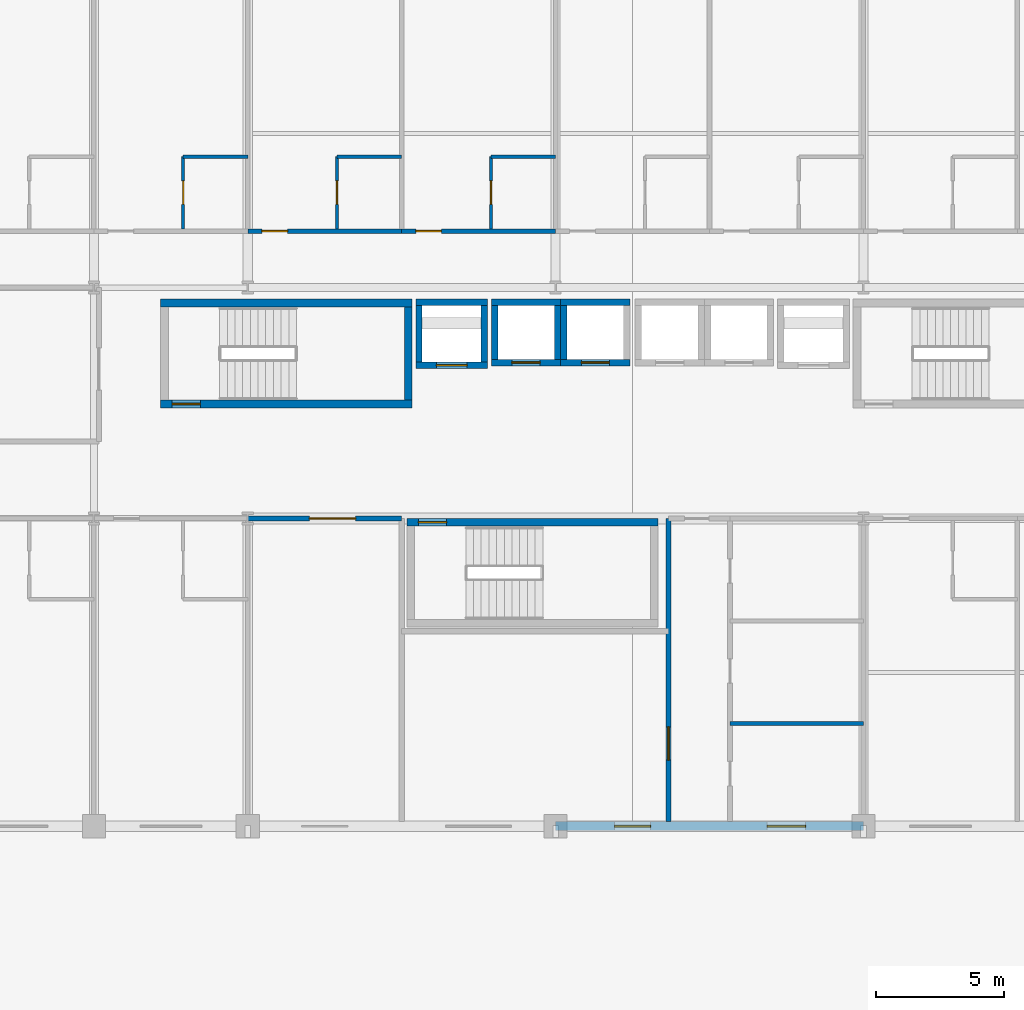
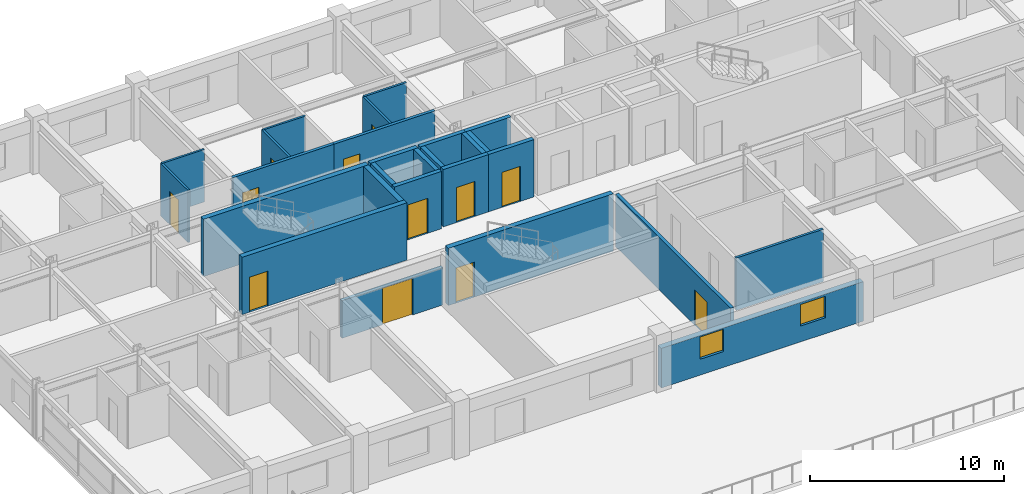
# One storey, part 17 of 24: 27 walls, 12 doors, 2 windows, 14 openings.
"""IFC4 building model written with IfcOpenShell, lengths in metres."""

from ifc_helpers import new_model, si_unit, direction, frame, frame_2d, origin, place, context, subcontext, project, spatial, rectangle, extrude, material, layer, layer_set, type_object, element, fill, save


model = new_model("IFC4")

# Units and contexts
model_context = context("Model", 3, precision=1e-05, world=origin(), true_north=direction((0.0, 1.0)))
body_context = subcontext(model_context, "Body", "Model", "MODEL_VIEW")
ifc_project = project(units=[si_unit("LENGTHUNIT", "METRE"), si_unit("AREAUNIT", "SQUARE_METRE"), si_unit("VOLUMEUNIT", "CUBIC_METRE"), si_unit("PLANEANGLEUNIT", "RADIAN"), si_unit("MASSUNIT", "GRAM", prefix="KILO")], contexts=[model_context])

# Site, building, storey
site_placement = place(None, origin())
site = spatial("IfcSite", under=ifc_project, at=site_placement, CompositionType="ELEMENT")
building_placement = place(site_placement, origin())
building = spatial("IfcBuilding", under=site, at=building_placement, Name="Kaldorvane Square Convention Centre", CompositionType="ELEMENT")
storey_placement = place(building_placement, frame((0.0, 0.0, 27.600006103515625)))
storey = spatial("IfcBuildingStorey", under=building, at=storey_placement, Name="L05", CompositionType="ELEMENT", Elevation=27.600006103515625)

# Wall, opening, door
ifc_material_1 = material(Name="Fire-Rated Gypsum Board on Acoustic Steel Studs", Category="steel")
ifc_layer_1 = layer(ifc_material_1, 0.125)
ifc_layer_set_1 = layer_set([ifc_layer_1], Name="Fire-Rated Gypsum Board on Acoustic Steel Studs")
wall_type_1 = type_object("IfcWallType", Name="WL-BATH-125", PredefinedType="PARTITIONING", material=ifc_layer_set_1)
wall_1_placement = place(storey_placement, frame((39.47999572753906, 107.28999328613281, 0.0), z_axis=(0.0, 0.0, 1.0), x_axis=(0.0, 1.0, 0.0)))
wall_1 = element("IfcWall", 1, at=wall_1_placement, inside=storey, type_object=wall_type_1, Name="En-Suite 503 West Wall", PredefinedType="PARTITIONING", context=body_context, shape_type="SweptSolid", body=[
    extrude(rectangle(XDim=2.8100128173828125, YDim=0.125, at=frame_2d((1.404998779296875, 0.0))), origin(), (0.0, 0.0, 1.0), 3.2899932861328125),
])
opening_1_placement = place(wall_1_placement, frame((0.9499969482421875, 0.0, 0.0)))
opening_1 = element("IfcOpeningElement", 2, at=opening_1_placement, cuts=wall_1, Name="Opening ID-12", PredefinedType="OPENING", context=body_context, shape_type="SweptSolid", body=[
    extrude(rectangle(XDim=0.9199981689453125, YDim=2.100006103515625, at=frame_2d((0.459991455078125, 1.0500030517578125))), frame((0.0, 0.0774993896484375, 0.0), z_axis=(0.0, -1.0, 0.0), x_axis=(1.0, 0.0, 0.0)), (0.0, 0.0, 1.0), 0.154998779296875),
])
ifc_material_2 = material(Name="Architectural Solid-Core White Oak")
door_type_1 = type_object("IfcDoorType", Name="DR-BATH-0920X2100", OperationType="SINGLE_SWING_RIGHT", PredefinedType="DOOR", material=ifc_material_2)
door_1_placement = place(opening_1_placement, origin())
door_1 = element("IfcDoor", 3, at=door_1_placement, inside=storey, type_object=door_type_1, Name="En-Suite Bathroom 503 Door", OperationType="SINGLE_SWING_RIGHT", OverallHeight=2.100006103515625, OverallWidth=0.9199981689453125, PredefinedType="DOOR", context=body_context, shape_type="SweptSolid", body=[
    extrude(rectangle(XDim=0.9199981689453125, YDim=2.100006103515625, at=frame_2d((0.459991455078125, 1.0500030517578125))), frame((0.0, 0.024993896484375, 0.0), z_axis=(0.0, -1.0, 0.0), x_axis=(1.0, 0.0, 0.0)), (0.0, 0.0, 1.0), 0.0500030517578125),
])
fill(opening_1, door_1)

# Wall
wall_2_placement = place(storey_placement, frame((39.47999572753906, 110.10000610351562, 0.0), z_axis=(0.0, 0.0, 1.0), x_axis=(1.0, 0.0, 0.0)))
element("IfcWall", 4, at=wall_2_placement, inside=storey, type_object=wall_type_1, Name="En-Suite 503 North Wall", PredefinedType="PARTITIONING", context=body_context, shape_type="SweptSolid", body=[
    extrude(rectangle(XDim=2.5200042724609375, YDim=0.125, at=frame_2d((1.260009765625, 0.0))), origin(), (0.0, 0.0, 1.0), 3.2899932861328125),
])

# Wall, opening, door
wall_3_placement = place(storey_placement, frame((45.47999572753906, 107.28999328613281, 0.0), z_axis=(0.0, 0.0, 1.0), x_axis=(0.0, 1.0, 0.0)))
wall_3 = element("IfcWall", 5, at=wall_3_placement, inside=storey, type_object=wall_type_1, Name="En-Suite 504 West Wall", PredefinedType="PARTITIONING", context=body_context, shape_type="SweptSolid", body=[
    extrude(rectangle(XDim=2.8100128173828125, YDim=0.125, at=frame_2d((1.404998779296875, 0.0))), origin(), (0.0, 0.0, 1.0), 3.2899932861328125),
])
opening_2_placement = place(wall_3_placement, frame((0.9499969482421875, 0.0, 0.0)))
opening_2 = element("IfcOpeningElement", 6, at=opening_2_placement, cuts=wall_3, Name="Opening ID-12", PredefinedType="OPENING", context=body_context, shape_type="SweptSolid", body=[
    extrude(rectangle(XDim=0.9199981689453125, YDim=2.100006103515625, at=frame_2d((0.459991455078125, 1.0500030517578125))), frame((0.0, 0.0774993896484375, 0.0), z_axis=(0.0, -1.0, 0.0), x_axis=(1.0, 0.0, 0.0)), (0.0, 0.0, 1.0), 0.154998779296875),
])
door_2_placement = place(opening_2_placement, origin())
door_2 = element("IfcDoor", 7, at=door_2_placement, inside=storey, type_object=door_type_1, Name="En-Suite Bathroom 504 Door", OperationType="SINGLE_SWING_RIGHT", OverallHeight=2.100006103515625, OverallWidth=0.9199981689453125, PredefinedType="DOOR", context=body_context, shape_type="SweptSolid", body=[
    extrude(rectangle(XDim=0.9199981689453125, YDim=2.100006103515625, at=frame_2d((0.459991455078125, 1.0500030517578125))), frame((0.0, 0.024993896484375, 0.0), z_axis=(0.0, -1.0, 0.0), x_axis=(1.0, 0.0, 0.0)), (0.0, 0.0, 1.0), 0.0500030517578125),
])
fill(opening_2, door_2)

# Wall
wall_4_placement = place(storey_placement, frame((45.47999572753906, 110.10000610351562, 0.0), z_axis=(0.0, 0.0, 1.0), x_axis=(1.0, 0.0, 0.0)))
element("IfcWall", 8, at=wall_4_placement, inside=storey, type_object=wall_type_1, Name="En-Suite 504 North Wall", PredefinedType="PARTITIONING", context=body_context, shape_type="SweptSolid", body=[
    extrude(rectangle(XDim=2.5200042724609375, YDim=0.125, at=frame_2d((1.260009765625, 0.0))), origin(), (0.0, 0.0, 1.0), 3.2899932861328125),
])

# Wall, opening, door
wall_5_placement = place(storey_placement, frame((51.47999572753906, 107.28999328613281, 0.0), z_axis=(0.0, 0.0, 1.0), x_axis=(0.0, 1.0, 0.0)))
wall_5 = element("IfcWall", 9, at=wall_5_placement, inside=storey, type_object=wall_type_1, Name="En-Suite 505 West Wall", PredefinedType="PARTITIONING", context=body_context, shape_type="SweptSolid", body=[
    extrude(rectangle(XDim=2.8100128173828125, YDim=0.125, at=frame_2d((1.404998779296875, 0.0))), origin(), (0.0, 0.0, 1.0), 3.2899932861328125),
])
opening_3_placement = place(wall_5_placement, frame((0.9499969482421875, 0.0, 0.0)))
opening_3 = element("IfcOpeningElement", 10, at=opening_3_placement, cuts=wall_5, Name="Opening ID-12", PredefinedType="OPENING", context=body_context, shape_type="SweptSolid", body=[
    extrude(rectangle(XDim=0.9199981689453125, YDim=2.100006103515625, at=frame_2d((0.459991455078125, 1.0500030517578125))), frame((0.0, 0.0774993896484375, 0.0), z_axis=(0.0, -1.0, 0.0), x_axis=(1.0, 0.0, 0.0)), (0.0, 0.0, 1.0), 0.154998779296875),
])
door_3_placement = place(opening_3_placement, origin())
door_3 = element("IfcDoor", 11, at=door_3_placement, inside=storey, type_object=door_type_1, Name="En-Suite Bathroom 505 Door", OperationType="SINGLE_SWING_RIGHT", OverallHeight=2.100006103515625, OverallWidth=0.9199981689453125, PredefinedType="DOOR", context=body_context, shape_type="SweptSolid", body=[
    extrude(rectangle(XDim=0.9199981689453125, YDim=2.100006103515625, at=frame_2d((0.459991455078125, 1.0500030517578125))), frame((0.0, 0.024993896484375, 0.0), z_axis=(0.0, -1.0, 0.0), x_axis=(1.0, 0.0, 0.0)), (0.0, 0.0, 1.0), 0.0500030517578125),
])
fill(opening_3, door_3)

# Wall
wall_6_placement = place(storey_placement, frame((51.47999572753906, 110.10000610351562, 0.0), z_axis=(0.0, 0.0, 1.0), x_axis=(1.0, 0.0, 0.0)))
element("IfcWall", 12, at=wall_6_placement, inside=storey, type_object=wall_type_1, Name="En-Suite 505 North Wall", PredefinedType="PARTITIONING", context=body_context, shape_type="SweptSolid", body=[
    extrude(rectangle(XDim=2.5200042724609375, YDim=0.125, at=frame_2d((1.260009765625, 0.0))), origin(), (0.0, 0.0, 1.0), 3.2899932861328125),
])

# Wall, opening, door
ifc_layer_2 = layer(ifc_material_1, 0.1999969482421875)
ifc_layer_set_2 = layer_set([ifc_layer_2], Name="Fire-Rated Gypsum Board on Acoustic Steel Studs")
wall_type_2 = type_object("IfcWallType", Name="WL-CORR-200", PredefinedType="PARTITIONING", material=ifc_layer_set_2)
wall_7_placement = place(storey_placement, frame((58.399993896484375, 84.17500305175781, 0.0), z_axis=(0.0, 0.0, 1.0), x_axis=(0.0, 1.0, 0.0)))
wall_7 = element("IfcWall", 13, at=wall_7_placement, inside=storey, type_object=wall_type_2, Name="Restroom Vestibule West Wall (L05)", PredefinedType="PARTITIONING", context=body_context, shape_type="SweptSolid", body=[
    extrude(rectangle(XDim=11.824996948242188, YDim=0.1999969482421875, at=frame_2d((5.912506103515625, 0.0))), origin(), (0.0, 0.0, 1.0), 3.2899932861328125),
])
opening_4_placement = place(wall_7_placement, frame((2.399993896484375, 0.0, 0.0)))
opening_4 = element("IfcOpeningElement", 14, at=opening_4_placement, cuts=wall_7, Name="Opening ID-09", PredefinedType="OPENING", context=body_context, shape_type="SweptSolid", body=[
    extrude(rectangle(XDim=1.3000030517578125, YDim=2.1999969482421875, at=frame_2d((0.649993896484375, 1.100006103515625))), frame((0.0, 0.114990234375, 0.0), z_axis=(0.0, -1.0, 0.0), x_axis=(1.0, 0.0, 0.0)), (0.0, 0.0, 1.0), 0.2299957275390625),
])
ifc_material_3 = material(Name="Insulated Hollow Metal Steel", Category="steel")
door_type_2 = type_object("IfcDoorType", Name="DR-SVC-1300X2200", OperationType="DOUBLE_DOOR_SINGLE_SWING", PredefinedType="DOOR", material=ifc_material_3)
door_4_placement = place(opening_4_placement, origin())
door_4 = element("IfcDoor", 15, at=door_4_placement, inside=storey, type_object=door_type_2, Name="Housekeeping and Linen Room (L05) Door", OperationType="DOUBLE_DOOR_SINGLE_SWING", OverallHeight=2.1999969482421875, OverallWidth=1.3000030517578125, PredefinedType="DOOR", context=body_context, shape_type="SweptSolid", body=[
    extrude(rectangle(XDim=1.3000030517578125, YDim=2.1999969482421875, at=frame_2d((0.649993896484375, 1.100006103515625))), frame((0.0, 0.024993896484375, 0.0), z_axis=(0.0, -1.0, 0.0), x_axis=(1.0, 0.0, 0.0)), (0.0, 0.0, 1.0), 0.0500030517578125),
])
fill(opening_4, door_4)

wall_8_placement = place(storey_placement, frame((42.0, 96.0, 0.0), z_axis=(0.0, 0.0, 1.0), x_axis=(1.0, 0.0, 0.0)))
wall_8 = element("IfcWall", 16, at=wall_8_placement, inside=storey, type_object=wall_type_2, Name="South Tower Club Lounge Corridor Wall (L05)", PredefinedType="PARTITIONING", context=body_context, shape_type="SweptSolid", body=[
    extrude(rectangle(XDim=6.0, YDim=0.1999969482421875, at=frame_2d((3.0, 0.0))), origin(), (0.0, 0.0, 1.0), 2.3589935302734375),
])
opening_5_placement = place(wall_8_placement, frame((2.399993896484375, 0.0, 0.0)))
opening_5 = element("IfcOpeningElement", 17, at=opening_5_placement, cuts=wall_8, Name="Opening ID-15", PredefinedType="OPENING", context=body_context, shape_type="SweptSolid", body=[
    extrude(rectangle(XDim=1.8000030517578125, YDim=2.3000030517578125, at=frame_2d((0.899993896484375, 1.149993896484375))), frame((0.0, 0.114990234375, 0.0), z_axis=(0.0, -1.0, 0.0), x_axis=(1.0, 0.0, 0.0)), (0.0, 0.0, 1.0), 0.2299957275390625),
])
ifc_material_4 = material(Name="Acoustic Laminated Glass in Aluminum Frame", Category="aluminium")
door_type_3 = type_object("IfcDoorType", Name="DR-GL-1800X2300", OperationType="DOUBLE_DOOR_SINGLE_SWING", PredefinedType="DOOR", material=ifc_material_4)
door_5_placement = place(opening_5_placement, origin())
door_5 = element("IfcDoor", 18, at=door_5_placement, inside=storey, type_object=door_type_3, Name="South Tower Club Lounge Entry Door (L05)", OperationType="DOUBLE_DOOR_SINGLE_SWING", OverallHeight=2.3000030517578125, OverallWidth=1.8000030517578125, PredefinedType="DOOR", context=body_context, shape_type="SweptSolid", body=[
    extrude(rectangle(XDim=1.8000030517578125, YDim=2.3000030517578125, at=frame_2d((0.899993896484375, 1.149993896484375))), frame((0.0, 0.024993896484375, 0.0), z_axis=(0.0, -1.0, 0.0), x_axis=(1.0, 0.0, 0.0)), (0.0, 0.0, 1.0), 0.0500030517578125),
])
fill(opening_5, door_5)

# Wall, openings, windows
ifc_material_5 = material(Name="Concrete f'c = 42 MPa (Normalweight)", Category="concrete")
ifc_layer_3 = layer(ifc_material_5, 0.350006103515625)
ifc_layer_set_3 = layer_set([ifc_layer_3], Name="Concrete f'c = 42 MPa (Normalweight)")
wall_type_3 = type_object("IfcWallType", Name="WL-EXT-350", PredefinedType="STANDARD", material=ifc_layer_set_3)
wall_9_placement = place(storey_placement, frame((54.0, 84.0, 0.0), z_axis=(0.0, 0.0, 1.0), x_axis=(1.0, 0.0, 0.0)))
wall_9 = element("IfcWall", 19, at=wall_9_placement, inside=storey, type_object=wall_type_3, Name="Hotel S Brutalist Facade Wall (L05)", PredefinedType="STANDARD", context=body_context, shape_type="SweptSolid", body=[
    extrude(rectangle(XDim=12.0, YDim=0.350006103515625, at=frame_2d((6.0, 0.0))), origin(), (0.0, 0.0, 1.0), 2.485992431640625),
])
opening_6_placement = place(wall_9_placement, frame((2.3000030517578125, 0.0, 1.0)))
opening_6 = element("IfcOpeningElement", 20, at=opening_6_placement, cuts=wall_9, Name="Opening W-13", PredefinedType="OPENING", context=body_context, shape_type="SweptSolid", body=[
    extrude(rectangle(XDim=1.399993896484375, YDim=1.399993896484375, at=frame_2d((0.6999969482421875, 0.6999969482421875))), frame((0.0, 0.19000244140625, 0.0), z_axis=(0.0, -1.0, 0.0), x_axis=(1.0, 0.0, 0.0)), (0.0, 0.0, 1.0), 0.3800048828125),
])
opening_7_placement = place(wall_9_placement, frame((8.25, 0.0, 1.0)))
opening_7 = element("IfcOpeningElement", 21, at=opening_7_placement, cuts=wall_9, Name="Opening W-14", PredefinedType="OPENING", context=body_context, shape_type="SweptSolid", body=[
    extrude(rectangle(XDim=1.5, YDim=1.350006103515625, at=frame_2d((0.75, 0.6750030517578125))), frame((0.0, 0.19000244140625, 0.0), z_axis=(0.0, -1.0, 0.0), x_axis=(1.0, 0.0, 0.0)), (0.0, 0.0, 1.0), 0.3800048828125),
])
ifc_material_6 = material(Name="Anodized Aluminum and Low-E Insulated Glazing", Category="aluminium")
window_type_1 = type_object("IfcWindowType", Name="WN-HTL-1400X1400", PartitioningType="SINGLE_PANEL", PredefinedType="WINDOW", material=ifc_material_6)
window_1_placement = place(opening_6_placement, origin())
window_1 = element("IfcWindow", 22, at=window_1_placement, inside=storey, type_object=window_type_1, Name="Hotel S Window (L05)", OverallHeight=1.399993896484375, OverallWidth=1.399993896484375, PartitioningType="SINGLE_PANEL", PredefinedType="WINDOW", context=body_context, shape_type="SweptSolid", body=[
    extrude(rectangle(XDim=1.399993896484375, YDim=1.399993896484375, at=frame_2d((0.6999969482421875, 0.6999969482421875))), frame((0.0, 0.029998779296875, 0.0), z_axis=(0.0, -1.0, 0.0), x_axis=(1.0, 0.0, 0.0)), (0.0, 0.0, 1.0), 0.05999755859375),
])
fill(opening_6, window_1)
window_type_2 = type_object("IfcWindowType", Name="WN-HTL-1500X1350", PartitioningType="SINGLE_PANEL", PredefinedType="WINDOW", material=ifc_material_6)
window_2_placement = place(opening_7_placement, origin())
window_2 = element("IfcWindow", 23, at=window_2_placement, inside=storey, type_object=window_type_2, Name="Hotel S Window (L05)", OverallHeight=1.350006103515625, OverallWidth=1.5, PartitioningType="SINGLE_PANEL", PredefinedType="WINDOW", context=body_context, shape_type="SweptSolid", body=[
    extrude(rectangle(XDim=1.5, YDim=1.350006103515625, at=frame_2d((0.75, 0.6750030517578125))), frame((0.0, 0.029998779296875, 0.0), z_axis=(0.0, -1.0, 0.0), x_axis=(1.0, 0.0, 0.0)), (0.0, 0.0, 1.0), 0.05999755859375),
])
fill(opening_7, window_2)

# Wall
ifc_layer_4 = layer(ifc_material_1, 0.149993896484375)
ifc_layer_set_4 = layer_set([ifc_layer_4], Name="Fire-Rated Gypsum Board on Acoustic Steel Studs")
wall_type_4 = type_object("IfcWallType", Name="WL-PART-150", PredefinedType="PARTITIONING", material=ifc_layer_set_4)
wall_10_placement = place(storey_placement, frame((60.80000305175781, 88.0, 0.0), z_axis=(0.0, 0.0, 1.0), x_axis=(1.0, 0.0, 0.0)))
element("IfcWall", 24, at=wall_10_placement, inside=storey, type_object=wall_type_4, Name="Restroom Partition 1 (L05)", PredefinedType="PARTITIONING", context=body_context, shape_type="SweptSolid", body=[
    extrude(rectangle(XDim=5.1999969482421875, YDim=0.149993896484375, at=frame_2d((2.600006103515625, 0.0))), origin(), (0.0, 0.0, 1.0), 3.2899932861328125),
])

# Wall, opening, door
ifc_material_7 = material(Name="Concrete f'c = 55 MPa (Normalweight)", Category="concrete")
ifc_layer_5 = layer(ifc_material_7, 0.3000030517578125)
ifc_layer_set_5 = layer_set([ifc_layer_5], Name="Concrete f'c = 55 MPa (Normalweight)")
wall_type_5 = type_object("IfcWallType", Name="WL-SHAFT-300", PredefinedType="SHEAR", material=ifc_layer_set_5)
wall_11_placement = place(storey_placement, frame((38.600006103515625, 100.46000671386719, 0.0), z_axis=(0.0, 0.0, 1.0), x_axis=(1.0, 0.0, 0.0)))
wall_11 = element("IfcWall", 25, at=wall_11_placement, inside=storey, type_object=wall_type_5, Name="Core Enclosure Wall stair:ST-T1-S (L05)", PredefinedType="SHEAR", context=body_context, shape_type="SweptSolid", body=[
    extrude(rectangle(XDim=9.79998779296875, YDim=0.3000030517578125, at=frame_2d((4.899993896484375, 0.0))), origin(), (0.0, 0.0, 1.0), 3.5999908447265625),
])
opening_8_placement = place(wall_11_placement, frame((0.4499969482421875, 0.0, 0.0)))
opening_8 = element("IfcOpeningElement", 26, at=opening_8_placement, cuts=wall_11, Name="Opening FD90-S1", PredefinedType="OPENING", context=body_context, shape_type="SweptSolid", body=[
    extrude(rectangle(XDim=1.100006103515625, YDim=2.1999969482421875, at=frame_2d((0.5500030517578125, 1.100006103515625))), frame((0.0, 0.165008544921875, 0.0), z_axis=(0.0, -1.0, 0.0), x_axis=(1.0, 0.0, 0.0)), (0.0, 0.0, 1.0), 0.3300018310546875),
])
ifc_material_8 = material(Name="Fire-Rated Hollow Metal Steel", Category="steel")
door_type_4 = type_object("IfcDoorType", Name="DR-STAIR-1100", OperationType="SINGLE_SWING_RIGHT", PredefinedType="DOOR", material=ifc_material_8)
door_6_placement = place(opening_8_placement, origin())
door_6 = element("IfcDoor", 27, at=door_6_placement, inside=storey, type_object=door_type_4, Name="Tower Exit Stair T1 Fire Door (L05)", OperationType="SINGLE_SWING_RIGHT", OverallHeight=2.1999969482421875, OverallWidth=1.100006103515625, PredefinedType="DOOR", context=body_context, shape_type="SweptSolid", body=[
    extrude(rectangle(XDim=1.100006103515625, YDim=2.1999969482421875, at=frame_2d((0.5500030517578125, 1.100006103515625))), frame((0.0, 0.024993896484375, 0.0), z_axis=(0.0, -1.0, 0.0), x_axis=(1.0, 0.0, 0.0)), (0.0, 0.0, 1.0), 0.0500030517578125),
])
fill(opening_8, door_6)

# Walls
wall_12_placement = place(storey_placement, frame((48.399993896484375, 104.39999389648438, 0.0), z_axis=(0.0, 0.0, 1.0), x_axis=(-1.0, 0.0, 0.0)))
element("IfcWall", 28, at=wall_12_placement, inside=storey, type_object=wall_type_5, Name="Core Enclosure Wall stair:ST-T1-N (L05)", PredefinedType="SHEAR", context=body_context, shape_type="SweptSolid", body=[
    extrude(rectangle(XDim=9.79998779296875, YDim=0.3000030517578125, at=frame_2d((4.899993896484375, 0.0))), origin(), (0.0, 0.0, 1.0), 3.5999908447265625),
])
wall_13_placement = place(storey_placement, frame((48.25, 100.61000061035156, 0.0), z_axis=(0.0, 0.0, 1.0), x_axis=(0.0, 1.0, 0.0)))
element("IfcWall", 29, at=wall_13_placement, inside=storey, type_object=wall_type_5, Name="Core Enclosure Wall stair:ST-T1-E (L05)", PredefinedType="SHEAR", context=body_context, shape_type="SweptSolid", body=[
    extrude(rectangle(XDim=3.6399993896484375, YDim=0.3000030517578125, at=frame_2d((1.82000732421875, 0.0))), origin(), (0.0, 0.0, 1.0), 3.5999908447265625),
])

# Wall, opening, door
wall_14_placement = place(storey_placement, frame((58.0, 95.85000610351562, 0.0), z_axis=(0.0, 0.0, 1.0), x_axis=(-1.0, 0.0, 0.0)))
wall_14 = element("IfcWall", 30, at=wall_14_placement, inside=storey, type_object=wall_type_5, Name="Core Enclosure Wall stair:ST-T3-N (L05)", PredefinedType="SHEAR", context=body_context, shape_type="SweptSolid", body=[
    extrude(rectangle(XDim=9.800003051757812, YDim=0.3000030517578125, at=frame_2d((4.899993896484375, 0.0))), origin(), (0.0, 0.0, 1.0), 3.5999908447265625),
])
opening_9_placement = place(wall_14_placement, frame((8.25, 0.0, 0.0)))
opening_9 = element("IfcOpeningElement", 31, at=opening_9_placement, cuts=wall_14, Name="Opening FD90-S1", PredefinedType="OPENING", context=body_context, shape_type="SweptSolid", body=[
    extrude(rectangle(XDim=1.100006103515625, YDim=2.1999969482421875, at=frame_2d((0.5500030517578125, 1.100006103515625))), frame((0.0, 0.165008544921875, 0.0), z_axis=(0.0, -1.0, 0.0), x_axis=(1.0, 0.0, 0.0)), (0.0, 0.0, 1.0), 0.3300018310546875),
])
door_7_placement = place(opening_9_placement, origin())
door_7 = element("IfcDoor", 32, at=door_7_placement, inside=storey, type_object=door_type_4, Name="Tower Exit Stair T3 Fire Door (L05)", OperationType="SINGLE_SWING_RIGHT", OverallHeight=2.1999969482421875, OverallWidth=1.100006103515625, PredefinedType="DOOR", context=body_context, shape_type="SweptSolid", body=[
    extrude(rectangle(XDim=1.100006103515625, YDim=2.1999969482421875, at=frame_2d((0.5500030517578125, 1.100006103515625))), frame((0.0, 0.024993896484375, 0.0), z_axis=(0.0, -1.0, 0.0), x_axis=(1.0, 0.0, 0.0)), (0.0, 0.0, 1.0), 0.0500030517578125),
])
fill(opening_9, door_7)

wall_15_placement = place(storey_placement, frame((48.55000305175781, 101.97500610351562, 0.0), z_axis=(0.0, 0.0, 1.0), x_axis=(1.0, 0.0, 0.0)))
wall_15 = element("IfcWall", 33, at=wall_15_placement, inside=storey, type_object=wall_type_5, Name="Core Enclosure Wall lift:FSAE-01-S (L05)", PredefinedType="SHEAR", context=body_context, shape_type="SweptSolid", body=[
    extrude(rectangle(XDim=2.8000030517578125, YDim=0.25, at=frame_2d((1.399993896484375, 0.0))), origin(), (0.0, 0.0, 1.0), 3.5999908447265625),
])
opening_10_placement = place(wall_15_placement, frame((0.8000030517578125, 0.0, 0.0)))
opening_10 = element("IfcOpeningElement", 34, at=opening_10_placement, cuts=wall_15, Name="Opening LD-02", PredefinedType="OPENING", context=body_context, shape_type="SweptSolid", body=[
    extrude(rectangle(XDim=1.1999969482421875, YDim=2.1999969482421875, at=frame_2d((0.600006103515625, 1.100006103515625))), frame((0.0, 0.1399993896484375, 0.0), z_axis=(0.0, -1.0, 0.0), x_axis=(1.0, 0.0, 0.0)), (0.0, 0.0, 1.0), 0.279998779296875),
])
ifc_material_9 = material(Name="Stainless Steel Elevator Door Assembly", Category="steel")
door_type_5 = type_object("IfcDoorType", Name="DR-LIFT-1200", OperationType="DOUBLE_DOOR_SLIDING", PredefinedType="DOOR", material=ifc_material_9)
door_8_placement = place(opening_10_placement, origin())
door_8 = element("IfcDoor", 35, at=door_8_placement, inside=storey, type_object=door_type_5, Name="Elevator Landing Door FSAE-01 (L05)", OperationType="DOUBLE_DOOR_SLIDING", OverallHeight=2.1999969482421875, OverallWidth=1.1999969482421875, PredefinedType="DOOR", context=body_context, shape_type="SweptSolid", body=[
    extrude(rectangle(XDim=1.1999969482421875, YDim=2.1999969482421875, at=frame_2d((0.600006103515625, 1.100006103515625))), frame((0.0, 0.024993896484375, 0.0), z_axis=(0.0, -1.0, 0.0), x_axis=(1.0, 0.0, 0.0)), (0.0, 0.0, 1.0), 0.0500030517578125),
])
fill(opening_10, door_8)

# Walls
wall_16_placement = place(storey_placement, frame((51.350006103515625, 104.42500305175781, 0.0), z_axis=(0.0, 0.0, 1.0), x_axis=(-1.0, 0.0, 0.0)))
element("IfcWall", 36, at=wall_16_placement, inside=storey, type_object=wall_type_5, Name="Core Enclosure Wall lift:FSAE-01-N (L05)", PredefinedType="SHEAR", context=body_context, shape_type="SweptSolid", body=[
    extrude(rectangle(XDim=2.8000030517578125, YDim=0.25, at=frame_2d((1.399993896484375, 0.0))), origin(), (0.0, 0.0, 1.0), 3.5999908447265625),
])
for number, where, z_axis, x_axis, name in (
    (37, (48.67500305175781, 104.30000305175781, 0.0), (0.0, 0.0, 1.0), (0.0, -1.0, 0.0), "Core Enclosure Wall lift:FSAE-01-W (L05)"),
    (38, (51.225006103515625, 102.10000610351562, 0.0), (0.0, 0.0, 1.0), (0.0, 1.0, 0.0), "Core Enclosure Wall lift:FSAE-01-E (L05)"),
):
    element("IfcWall", number, at=place(storey_placement, frame(where, z_axis=z_axis, x_axis=x_axis)), inside=storey, type_object=wall_type_5, Name=name, PredefinedType="SHEAR", context=body_context, shape_type="SweptSolid", body=[
        extrude(rectangle(XDim=2.1999969482421875, YDim=0.25, at=frame_2d((1.100006103515625, 0.0))), origin(), (0.0, 0.0, 1.0), 3.5999908447265625),
    ])

# Wall, opening, door
wall_17_placement = place(storey_placement, frame((51.5, 102.07499694824219, 0.0), z_axis=(0.0, 0.0, 1.0), x_axis=(1.0, 0.0, 0.0)))
wall_17 = element("IfcWall", 39, at=wall_17_placement, inside=storey, type_object=wall_type_5, Name="Core Enclosure Wall lift:EL-P1-S (L05)", PredefinedType="SHEAR", context=body_context, shape_type="SweptSolid", body=[
    extrude(rectangle(XDim=2.6999969482421875, YDim=0.25, at=frame_2d((1.350006103515625, 0.0))), origin(), (0.0, 0.0, 1.0), 3.5999908447265625),
])
opening_11_placement = place(wall_17_placement, frame((0.8000030517578125, 0.0, 0.0)))
opening_11 = element("IfcOpeningElement", 40, at=opening_11_placement, cuts=wall_17, Name="Opening LD-01", PredefinedType="OPENING", context=body_context, shape_type="SweptSolid", body=[
    extrude(rectangle(XDim=1.100006103515625, YDim=2.1999969482421875, at=frame_2d((0.5500030517578125, 1.100006103515625))), frame((0.0, 0.1399993896484375, 0.0), z_axis=(0.0, -1.0, 0.0), x_axis=(1.0, 0.0, 0.0)), (0.0, 0.0, 1.0), 0.279998779296875),
])
door_type_6 = type_object("IfcDoorType", Name="DR-LIFT-1100", OperationType="DOUBLE_DOOR_SLIDING", PredefinedType="DOOR", material=ifc_material_9)
door_9_placement = place(opening_11_placement, origin())
door_9 = element("IfcDoor", 41, at=door_9_placement, inside=storey, type_object=door_type_6, Name="Elevator Landing Door EL-P1 (L05)", OperationType="DOUBLE_DOOR_SLIDING", OverallHeight=2.1999969482421875, OverallWidth=1.100006103515625, PredefinedType="DOOR", context=body_context, shape_type="SweptSolid", body=[
    extrude(rectangle(XDim=1.100006103515625, YDim=2.1999969482421875, at=frame_2d((0.5500030517578125, 1.100006103515625))), frame((0.0, 0.024993896484375, 0.0), z_axis=(0.0, -1.0, 0.0), x_axis=(1.0, 0.0, 0.0)), (0.0, 0.0, 1.0), 0.0500030517578125),
])
fill(opening_11, door_9)

# Walls
wall_18_placement = place(storey_placement, frame((54.19999694824219, 104.42500305175781, 0.0), z_axis=(0.0, 0.0, 1.0), x_axis=(-1.0, 0.0, 0.0)))
element("IfcWall", 42, at=wall_18_placement, inside=storey, type_object=wall_type_5, Name="Core Enclosure Wall lift:EL-P1-N (L05)", PredefinedType="SHEAR", context=body_context, shape_type="SweptSolid", body=[
    extrude(rectangle(XDim=2.6999969482421875, YDim=0.25, at=frame_2d((1.350006103515625, 0.0))), origin(), (0.0, 0.0, 1.0), 3.5999908447265625),
])
for number, where, z_axis, x_axis, name in (
    (43, (51.625, 104.30000305175781, 0.0), (0.0, 0.0, 1.0), (0.0, -1.0, 0.0), "Core Enclosure Wall lift:EL-P1-W (L05)"),
    (44, (54.07499694824219, 102.19999694824219, 0.0), (0.0, 0.0, 1.0), (0.0, 1.0, 0.0), "Core Enclosure Wall lift:EL-P1-E (L05)"),
):
    element("IfcWall", number, at=place(storey_placement, frame(where, z_axis=z_axis, x_axis=x_axis)), inside=storey, type_object=wall_type_5, Name=name, PredefinedType="SHEAR", context=body_context, shape_type="SweptSolid", body=[
        extrude(rectangle(XDim=2.100006103515625, YDim=0.25, at=frame_2d((1.0500030517578125, 0.0))), origin(), (0.0, 0.0, 1.0), 3.5999908447265625),
    ])

# Wall, opening, door
wall_19_placement = place(storey_placement, frame((54.19999694824219, 102.07499694824219, 0.0), z_axis=(0.0, 0.0, 1.0), x_axis=(1.0, 0.0, 0.0)))
wall_19 = element("IfcWall", 45, at=wall_19_placement, inside=storey, type_object=wall_type_5, Name="Core Enclosure Wall lift:EL-P2-S (L05)", PredefinedType="SHEAR", context=body_context, shape_type="SweptSolid", body=[
    extrude(rectangle(XDim=2.6999969482421875, YDim=0.25, at=frame_2d((1.350006103515625, 0.0))), origin(), (0.0, 0.0, 1.0), 3.5999908447265625),
])
opening_12_placement = place(wall_19_placement, frame((0.8000030517578125, 0.0, 0.0)))
opening_12 = element("IfcOpeningElement", 46, at=opening_12_placement, cuts=wall_19, Name="Opening LD-01", PredefinedType="OPENING", context=body_context, shape_type="SweptSolid", body=[
    extrude(rectangle(XDim=1.100006103515625, YDim=2.1999969482421875, at=frame_2d((0.5500030517578125, 1.100006103515625))), frame((0.0, 0.1399993896484375, 0.0), z_axis=(0.0, -1.0, 0.0), x_axis=(1.0, 0.0, 0.0)), (0.0, 0.0, 1.0), 0.279998779296875),
])
door_10_placement = place(opening_12_placement, origin())
door_10 = element("IfcDoor", 47, at=door_10_placement, inside=storey, type_object=door_type_6, Name="Elevator Landing Door EL-P2 (L05)", OperationType="DOUBLE_DOOR_SLIDING", OverallHeight=2.1999969482421875, OverallWidth=1.100006103515625, PredefinedType="DOOR", context=body_context, shape_type="SweptSolid", body=[
    extrude(rectangle(XDim=1.100006103515625, YDim=2.1999969482421875, at=frame_2d((0.5500030517578125, 1.100006103515625))), frame((0.0, 0.024993896484375, 0.0), z_axis=(0.0, -1.0, 0.0), x_axis=(1.0, 0.0, 0.0)), (0.0, 0.0, 1.0), 0.0500030517578125),
])
fill(opening_12, door_10)

# Walls
wall_20_placement = place(storey_placement, frame((56.899993896484375, 104.42500305175781, 0.0), z_axis=(0.0, 0.0, 1.0), x_axis=(-1.0, 0.0, 0.0)))
element("IfcWall", 48, at=wall_20_placement, inside=storey, type_object=wall_type_5, Name="Core Enclosure Wall lift:EL-P2-N (L05)", PredefinedType="SHEAR", context=body_context, shape_type="SweptSolid", body=[
    extrude(rectangle(XDim=2.6999969482421875, YDim=0.25, at=frame_2d((1.350006103515625, 0.0))), origin(), (0.0, 0.0, 1.0), 3.5999908447265625),
])
wall_21_placement = place(storey_placement, frame((54.32499694824219, 104.30000305175781, 0.0), z_axis=(0.0, 0.0, 1.0), x_axis=(0.0, -1.0, 0.0)))
element("IfcWall", 49, at=wall_21_placement, inside=storey, type_object=wall_type_5, Name="Core Enclosure Wall lift:EL-P2-W (L05)", PredefinedType="SHEAR", context=body_context, shape_type="SweptSolid", body=[
    extrude(rectangle(XDim=2.100006103515625, YDim=0.25, at=frame_2d((1.0500030517578125, 0.0))), origin(), (0.0, 0.0, 1.0), 3.5999908447265625),
])

# Wall, opening, door
ifc_layer_6 = layer(ifc_material_1, 0.17999267578125)
ifc_layer_set_6 = layer_set([ifc_layer_6], Name="Fire-Rated Gypsum Board on Acoustic Steel Studs")
wall_type_6 = type_object("IfcWallType", Name="WL-UNIT-180", PredefinedType="PARTITIONING", material=ifc_layer_set_6)
wall_22_placement = place(storey_placement, frame((42.0, 107.19999694824219, 0.0), z_axis=(0.0, 0.0, 1.0), x_axis=(1.0, 0.0, 0.0)))
wall_22 = element("IfcWall", 50, at=wall_22_placement, inside=storey, type_object=wall_type_6, Name="Hotel Guest Room 504 Corridor Wall", PredefinedType="PARTITIONING", context=body_context, shape_type="SweptSolid", body=[
    extrude(rectangle(XDim=6.0, YDim=0.17999267578125, at=frame_2d((3.0, 0.0))), origin(), (0.0, 0.0, 1.0), 3.2899932861328125),
])
opening_13_placement = place(wall_22_placement, frame((0.5500030517578125, 0.0, 0.0)))
opening_13 = element("IfcOpeningElement", 51, at=opening_13_placement, cuts=wall_22, Name="Opening ID-10", PredefinedType="OPENING", context=body_context, shape_type="SweptSolid", body=[
    extrude(rectangle(XDim=1.0, YDim=2.149993896484375, at=frame_2d((0.5, 1.0749969482421875))), frame((0.0, 0.1049957275390625, 0.0), z_axis=(0.0, -1.0, 0.0), x_axis=(1.0, 0.0, 0.0)), (0.0, 0.0, 1.0), 0.209991455078125),
])
door_type_7 = type_object("IfcDoorType", Name="DR-GUEST-1000X2150", OperationType="SINGLE_SWING_LEFT", PredefinedType="DOOR", material=ifc_material_2)
door_11_placement = place(opening_13_placement, origin())
door_11 = element("IfcDoor", 52, at=door_11_placement, inside=storey, type_object=door_type_7, Name="Hotel Guest Room 504 Entry Door", OperationType="SINGLE_SWING_LEFT", OverallHeight=2.149993896484375, OverallWidth=1.0, PredefinedType="DOOR", context=body_context, shape_type="SweptSolid", body=[
    extrude(rectangle(XDim=1.0, YDim=2.149993896484375, at=frame_2d((0.5, 1.0749969482421875))), frame((0.0, 0.024993896484375, 0.0), z_axis=(0.0, -1.0, 0.0), x_axis=(1.0, 0.0, 0.0)), (0.0, 0.0, 1.0), 0.0500030517578125),
])
fill(opening_13, door_11)

wall_23_placement = place(storey_placement, frame((48.0, 107.19999694824219, 0.0), z_axis=(0.0, 0.0, 1.0), x_axis=(1.0, 0.0, 0.0)))
wall_23 = element("IfcWall", 53, at=wall_23_placement, inside=storey, type_object=wall_type_6, Name="Hotel Guest Room 505 Corridor Wall", PredefinedType="PARTITIONING", context=body_context, shape_type="SweptSolid", body=[
    extrude(rectangle(XDim=6.0, YDim=0.17999267578125, at=frame_2d((3.0, 0.0))), origin(), (0.0, 0.0, 1.0), 3.2899932861328125),
])
opening_14_placement = place(wall_23_placement, frame((0.5500030517578125, 0.0, 0.0)))
opening_14 = element("IfcOpeningElement", 54, at=opening_14_placement, cuts=wall_23, Name="Opening ID-10", PredefinedType="OPENING", context=body_context, shape_type="SweptSolid", body=[
    extrude(rectangle(XDim=1.0, YDim=2.149993896484375, at=frame_2d((0.5, 1.0749969482421875))), frame((0.0, 0.1049957275390625, 0.0), z_axis=(0.0, -1.0, 0.0), x_axis=(1.0, 0.0, 0.0)), (0.0, 0.0, 1.0), 0.209991455078125),
])
door_12_placement = place(opening_14_placement, origin())
door_12 = element("IfcDoor", 55, at=door_12_placement, inside=storey, type_object=door_type_7, Name="Hotel Guest Room 505 Entry Door", OperationType="SINGLE_SWING_LEFT", OverallHeight=2.149993896484375, OverallWidth=1.0, PredefinedType="DOOR", context=body_context, shape_type="SweptSolid", body=[
    extrude(rectangle(XDim=1.0, YDim=2.149993896484375, at=frame_2d((0.5, 1.0749969482421875))), frame((0.0, 0.024993896484375, 0.0), z_axis=(0.0, -1.0, 0.0), x_axis=(1.0, 0.0, 0.0)), (0.0, 0.0, 1.0), 0.0500030517578125),
])
fill(opening_14, door_12)

save(model, "model.ifc")
